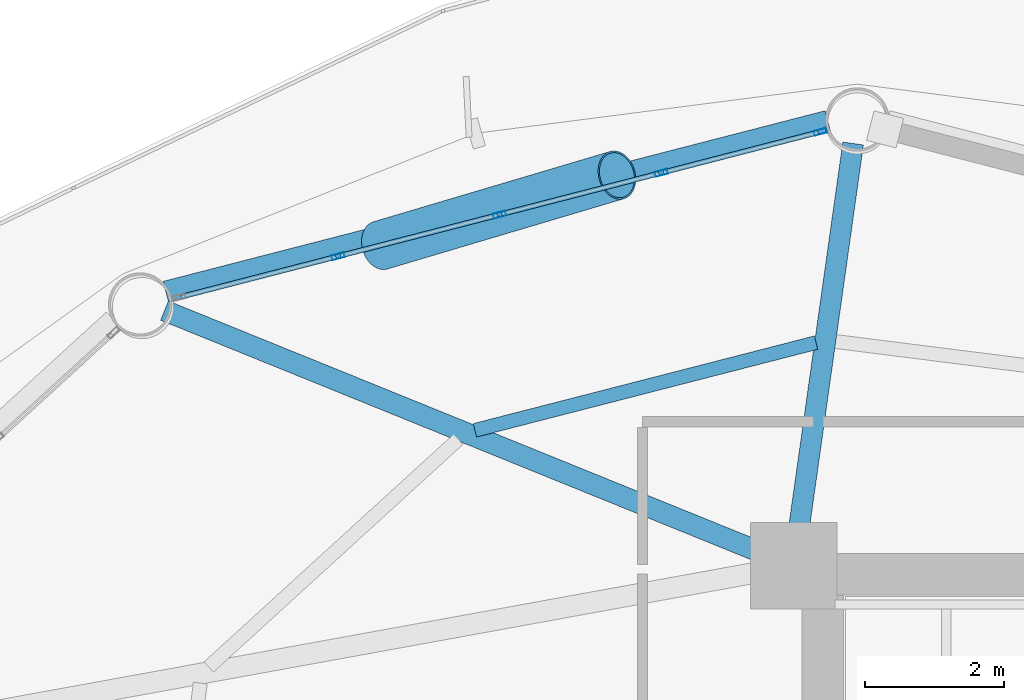
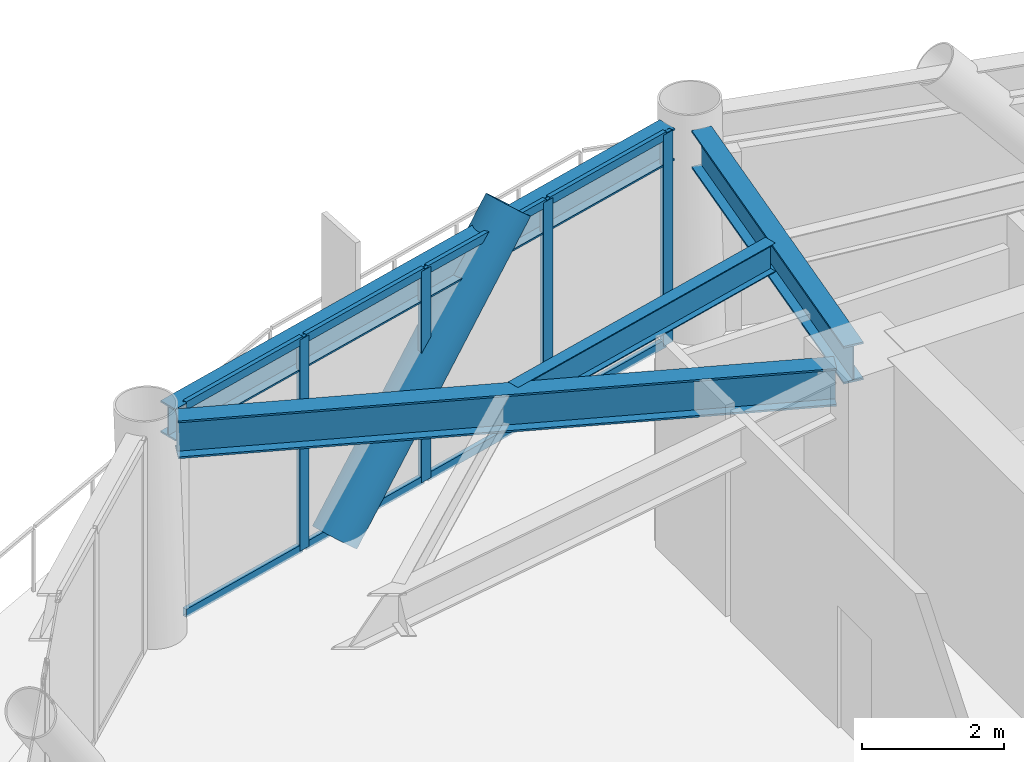
# One storey, part 17 of 24: 13 members, 4 beams, 1 element without a shape of its own.
"""IFC4 building model written with IfcOpenShell, lengths in metres."""

from ifc_helpers import new_model, si_unit, direction, frame, origin, origin_2d, place, context, subcontext, project, spatial, hollow_rectangle, hollow_circle, i_section, extrude, material, layer, layer_set, material_profile, profile_set, type_object, element, aggregate, save


model = new_model("IFC4")

# Units and contexts
model_context = context("Model", 3, precision=1e-05, world=origin(), true_north=direction((0.0, 1.0)))
body_context = subcontext(model_context, "Body", "Model", "MODEL_VIEW")
ifc_project = project(units=[si_unit("LENGTHUNIT", "METRE"), si_unit("AREAUNIT", "SQUARE_METRE"), si_unit("VOLUMEUNIT", "CUBIC_METRE"), si_unit("PLANEANGLEUNIT", "RADIAN"), si_unit("MASSUNIT", "GRAM", prefix="KILO")], contexts=[model_context])

# Site, building, storey
site_placement = place(None, origin())
site = spatial("IfcSite", under=ifc_project, at=site_placement, CompositionType="ELEMENT")
building_placement = place(site_placement, origin())
building = spatial("IfcBuilding", under=site, at=building_placement, Name="Varnakorn Sky Granary", CompositionType="ELEMENT")
storey_placement = place(building_placement, frame((0.0, 0.0, 43.199951171875)))
storey = spatial("IfcBuildingStorey", under=building, at=storey_placement, Name="L10", CompositionType="ELEMENT", Elevation=43.199951171875)

# Beams
ifc_material_1 = material(Name="Steel S355JR", Category="steel")
ifc_material_profile_1 = material_profile(ifc_material_1, i_section(OverallWidth=0.300048828125, OverallDepth=0.64990234375, WebThickness=0.01611328125, FlangeThickness=0.031005859375, at=origin_2d()), Name="HE 650 B")
ifc_profile_set_1 = profile_set([ifc_material_profile_1], Name="Steel S355JR")
beam_type_1 = type_object("IfcBeamType", Name="BM-RAD-Z1", PredefinedType="BEAM", material=ifc_profile_set_1)
beam_1_placement = place(storey_placement, frame((-2.361328125, 13.035888671875, 3.31494140625), z_axis=(0.139477344395, 0.990225262453, 0.0), x_axis=(-0.990225262453, 0.139477344395, 0.0)))
element("IfcBeam", 1, at=beam_1_placement, inside=storey, type_object=beam_type_1, Name="Radial Floor Girder RG04 L10", PredefinedType="BEAM", context=body_context, shape_type="SweptSolid", body=[
    extrude(i_section(OverallWidth=0.300048828125, OverallDepth=0.64990234375, WebThickness=0.01611328125, FlangeThickness=0.031005859375, at=origin_2d()), origin(), (0.0, 0.0, 1.0), 5.732666015625),
])
beam_2_placement = place(storey_placement, frame((-2.80908203125, 12.77783203125, 3.31494140625), z_axis=(-0.926693685394, 0.3758175268, 0.0), x_axis=(-0.3758175268, -0.926693685394, 0.0)))
element("IfcBeam", 2, at=beam_2_placement, inside=storey, type_object=beam_type_1, Name="Radial Floor Girder RG05 L10", PredefinedType="BEAM", context=body_context, shape_type="SweptSolid", body=[
    extrude(i_section(OverallWidth=0.300048828125, OverallDepth=0.64990234375, WebThickness=0.01611328125, FlangeThickness=0.031005859375, at=origin_2d()), origin(), (0.0, 0.0, 1.0), 9.3759765625),
])
ifc_material_profile_2 = material_profile(ifc_material_1, i_section(OverallWidth=0.199951171875, OverallDepth=0.5, WebThickness=0.01025390625, FlangeThickness=0.01611328125, at=origin_2d()), Name="IPE 500")
ifc_profile_set_2 = profile_set([ifc_material_profile_2], Name="Steel S355JR")
beam_type_2 = type_object("IfcBeamType", Name="BM-SEC-Z1", PredefinedType="BEAM", material=ifc_profile_set_2)
beam_3_placement = place(storey_placement, frame((-2.09716796875, 15.839111328125, 3.39013671875), z_axis=(-0.968527361519, -0.248907111166, 0.0), x_axis=(0.248907111166, -0.968527361519, 0.0)))
element("IfcBeam", 3, at=beam_3_placement, inside=storey, type_object=beam_type_2, Name="Secondary Floor Chord Beam MSB04 L10", PredefinedType="BEAM", context=body_context, shape_type="SweptSolid", body=[
    extrude(i_section(OverallWidth=0.199951171875, OverallDepth=0.5, WebThickness=0.01025390625, FlangeThickness=0.01611328125, at=origin_2d()), origin(), (0.0, 0.0, 1.0), 5.080810546875),
])
ifc_material_profile_3 = material_profile(ifc_material_1, i_section(OverallWidth=0.300048828125, OverallDepth=0.550048828125, WebThickness=0.014892578125, FlangeThickness=0.029052734375, at=origin_2d()), Name="HE 550 B")
ifc_profile_set_3 = profile_set([ifc_material_profile_3], Name="Steel S355JR")
beam_type_3 = type_object("IfcBeamType", Name="BM-SPD-Z1", PredefinedType="SPANDREL", material=ifc_profile_set_3)
beam_4_placement = place(storey_placement, frame((-1.927978515625, 19.039794921875, 3.364990234375), z_axis=(-0.968350691082, -0.249593547756, 0.0), x_axis=(0.249593547756, -0.968350691082, 0.0)))
element("IfcBeam", 4, at=beam_4_placement, inside=storey, type_object=beam_type_3, Name="Perimeter Spandrel Ring Beam RB04 L10", PredefinedType="SPANDREL", context=body_context, shape_type="SweptSolid", body=[
    extrude(i_section(OverallWidth=0.300048828125, OverallDepth=0.550048828125, WebThickness=0.014892578125, FlangeThickness=0.029052734375, at=origin_2d()), origin(), (0.0, 0.0, 1.0), 9.86376953125),
])

# Curtain wall, members
ifc_material_2 = material(Name="Anodised Bronze Aluminium Alloy 6063-T6", Category="aluminium")
ifc_layer = layer(ifc_material_2, 0.18994140625, Name="Anodised Bronze Aluminium Alloy 6063-T6")
ifc_layer_set = layer_set([ifc_layer], Name="Anodised Bronze Aluminium Alloy 6063-T6")
curtain_wall_type = type_object("IfcCurtainWallType", Name="CW-FRM-1", PredefinedType="USERDEFINED", material=ifc_layer_set)
curtain_wall_placement = place(storey_placement, origin())
curtain_wall = element("IfcCurtainWall", 5, at=curtain_wall_placement, inside=storey, type_object=curtain_wall_type, Name="Unitised Curtain Wall CW3 CW-L10-B04", ObjectType="CURTAIN WALL", PredefinedType="USERDEFINED")
ifc_material_profile_4 = material_profile(ifc_material_2, hollow_rectangle(XDim=0.070068359375, YDim=0.18505859375, WallThickness=0.00390625, at=origin_2d()), Name="ALU MULL 70x185")
ifc_profile_set_4 = profile_set([ifc_material_profile_4], Name="Anodised Bronze Aluminium Alloy 6063-T6")
member_type_1 = type_object("IfcMemberType", Name="CW-FRM-1-MULL", PredefinedType="MULLION", material=ifc_profile_set_4)
member_1_placement = place(storey_placement, frame((-8.992431640625, 17.0849609375, 0.0), z_axis=(0.0, 0.0, 1.0), x_axis=(-0.249960319337, 0.968256081188, 0.0)))
member_1 = element("IfcMember", 6, at=member_1_placement, type_object=member_type_1, Name="CW3 mullion 2", PredefinedType="MULLION", context=body_context, shape_type="SweptSolid", body=[
    extrude(hollow_rectangle(XDim=0.070068359375, YDim=0.18505859375, WallThickness=0.00390625, at=origin_2d()), origin(), (0.0, 0.0, 1.0), 3.64013671875),
])
member_2_placement = place(storey_placement, frame((-6.661865234375, 17.6865234375, 0.0), z_axis=(0.0, 0.0, 1.0), x_axis=(-0.249960319337, 0.968256081188, 0.0)))
member_2 = element("IfcMember", 7, at=member_2_placement, type_object=member_type_1, Name="CW3 mullion 3", PredefinedType="MULLION", context=body_context, shape_type="SweptSolid", body=[
    extrude(hollow_rectangle(XDim=0.070068359375, YDim=0.18505859375, WallThickness=0.00390625, at=origin_2d()), origin(), (0.0, 0.0, 1.0), 3.64013671875),
])
member_3_placement = place(storey_placement, frame((-4.3310546875, 18.2880859375, 0.0), z_axis=(0.0, 0.0, 1.0), x_axis=(-0.249960319337, 0.968256081188, 0.0)))
member_3 = element("IfcMember", 8, at=member_3_placement, type_object=member_type_1, Name="CW3 mullion 4", PredefinedType="MULLION", context=body_context, shape_type="SweptSolid", body=[
    extrude(hollow_rectangle(XDim=0.070068359375, YDim=0.18505859375, WallThickness=0.00390625, at=origin_2d()), origin(), (0.0, 0.0, 1.0), 3.64013671875),
])
member_4_placement = place(storey_placement, frame((-2.034423828125, 18.881103515625, 0.0), z_axis=(0.0, 0.0, 1.0), x_axis=(-0.249960319337, 0.968256081188, 0.0)))
member_4 = element("IfcMember", 9, at=member_4_placement, type_object=member_type_1, Name="CW3 mullion 5", PredefinedType="MULLION", context=body_context, shape_type="SweptSolid", body=[
    extrude(hollow_rectangle(XDim=0.070068359375, YDim=0.18505859375, WallThickness=0.00390625, at=origin_2d()), origin(), (0.0, 0.0, 1.0), 3.64013671875),
])
ifc_material_profile_5 = material_profile(ifc_material_2, hollow_rectangle(XDim=0.070068359375, YDim=0.139892578125, WallThickness=0.00341796875, at=origin_2d()), Name="ALU TRAN 70x140")
ifc_profile_set_5 = profile_set([ifc_material_profile_5], Name="Anodised Bronze Aluminium Alloy 6063-T6")
member_type_2 = type_object("IfcMemberType", Name="CW-FRM-1-TRAN", PredefinedType="USERDEFINED", material=ifc_profile_set_5)
member_5_placement = place(storey_placement, frame((-11.255126953125, 16.500732421875, 0.03515625), z_axis=(0.968254971313, 0.249964618552, 0.0), x_axis=(-0.249964618552, 0.968254971313, 0.0)))
member_5 = element("IfcMember", 10, at=member_5_placement, type_object=member_type_2, Name="CW3 transom 1.1", ObjectType="TRANSOM", PredefinedType="USERDEFINED", context=body_context, shape_type="SweptSolid", body=[
    extrude(hollow_rectangle(XDim=0.070068359375, YDim=0.139892578125, WallThickness=0.00341796875, at=origin_2d()), origin(), (0.0, 0.0, 1.0), 2.302001953125),
])
member_6_placement = place(storey_placement, frame((-11.255126953125, 16.500732421875, 3.60498046875), z_axis=(0.968254971313, 0.249964618552, 0.0), x_axis=(-0.249964618552, 0.968254971313, 0.0)))
member_6 = element("IfcMember", 11, at=member_6_placement, type_object=member_type_2, Name="CW3 transom 1.2", ObjectType="TRANSOM", PredefinedType="USERDEFINED", context=body_context, shape_type="SweptSolid", body=[
    extrude(hollow_rectangle(XDim=0.070068359375, YDim=0.139892578125, WallThickness=0.00341796875, at=origin_2d()), origin(), (0.0, 0.0, 1.0), 2.302001953125),
])
member_7_placement = place(storey_placement, frame((-8.95849609375, 17.093505859375, 0.03515625), z_axis=(0.968252044211, 0.249975956608, 0.0), x_axis=(-0.249975956608, 0.968252044211, 0.0)))
member_7 = element("IfcMember", 12, at=member_7_placement, type_object=member_type_2, Name="CW3 transom 2.1", ObjectType="TRANSOM", PredefinedType="USERDEFINED", context=body_context, shape_type="SweptSolid", body=[
    extrude(hollow_rectangle(XDim=0.070068359375, YDim=0.139892578125, WallThickness=0.00341796875, at=origin_2d()), origin(), (0.0, 0.0, 1.0), 2.337158203125),
])
member_8_placement = place(storey_placement, frame((-8.95849609375, 17.093505859375, 3.60498046875), z_axis=(0.968252044211, 0.249975956608, 0.0), x_axis=(-0.249975956608, 0.968252044211, 0.0)))
member_8 = element("IfcMember", 13, at=member_8_placement, type_object=member_type_2, Name="CW3 transom 2.2", ObjectType="TRANSOM", PredefinedType="USERDEFINED", context=body_context, shape_type="SweptSolid", body=[
    extrude(hollow_rectangle(XDim=0.070068359375, YDim=0.139892578125, WallThickness=0.00341796875, at=origin_2d()), origin(), (0.0, 0.0, 1.0), 2.337158203125),
])
member_9_placement = place(storey_placement, frame((-6.6279296875, 17.6953125, 0.03515625), z_axis=(0.968277323709, 0.249878019022, 0.0), x_axis=(-0.249878019022, 0.968277323709, 0.0)))
member_9 = element("IfcMember", 14, at=member_9_placement, type_object=member_type_2, Name="CW3 transom 3.1", ObjectType="TRANSOM", PredefinedType="USERDEFINED", context=body_context, shape_type="SweptSolid", body=[
    extrude(hollow_rectangle(XDim=0.070068359375, YDim=0.139892578125, WallThickness=0.00341796875, at=origin_2d()), origin(), (0.0, 0.0, 1.0), 2.337158203125),
])
member_10_placement = place(storey_placement, frame((-6.6279296875, 17.6953125, 3.60498046875), z_axis=(0.968277323709, 0.249878019022, 0.0), x_axis=(-0.249878019022, 0.968277323709, 0.0)))
member_10 = element("IfcMember", 15, at=member_10_placement, type_object=member_type_2, Name="CW3 transom 3.2", ObjectType="TRANSOM", PredefinedType="USERDEFINED", context=body_context, shape_type="SweptSolid", body=[
    extrude(hollow_rectangle(XDim=0.070068359375, YDim=0.139892578125, WallThickness=0.00341796875, at=origin_2d()), origin(), (0.0, 0.0, 1.0), 2.337158203125),
])
member_11_placement = place(storey_placement, frame((-4.29736328125, 18.296875, 0.03515625), z_axis=(0.968254971313, 0.249964618552, 0.0), x_axis=(-0.249964618552, 0.968254971313, 0.0)))
member_11 = element("IfcMember", 16, at=member_11_placement, type_object=member_type_2, Name="CW3 transom 4.1", ObjectType="TRANSOM", PredefinedType="USERDEFINED", context=body_context, shape_type="SweptSolid", body=[
    extrude(hollow_rectangle(XDim=0.070068359375, YDim=0.139892578125, WallThickness=0.00341796875, at=origin_2d()), origin(), (0.0, 0.0, 1.0), 2.302001953125),
])
member_12_placement = place(storey_placement, frame((-4.29736328125, 18.296875, 3.60498046875), z_axis=(0.968254971313, 0.249964618552, 0.0), x_axis=(-0.249964618552, 0.968254971313, 0.0)))
member_12 = element("IfcMember", 17, at=member_12_placement, type_object=member_type_2, Name="CW3 transom 4.2", ObjectType="TRANSOM", PredefinedType="USERDEFINED", context=body_context, shape_type="SweptSolid", body=[
    extrude(hollow_rectangle(XDim=0.070068359375, YDim=0.139892578125, WallThickness=0.00341796875, at=origin_2d()), origin(), (0.0, 0.0, 1.0), 2.302001953125),
])
aggregate(curtain_wall, [member_1, member_2, member_3, member_4, member_5, member_6, member_7, member_8, member_9, member_10, member_11, member_12])

# Member
ifc_material_3 = material(Name="Steel S460M", Category="steel")
ifc_material_profile_6 = material_profile(ifc_material_3, hollow_circle(Radius=0.35546875, WallThickness=0.02490234375, at=origin_2d()), Name="CHS 711x25")
ifc_profile_set_6 = profile_set([ifc_material_profile_6], Name="Steel S460M")
member_type_3 = type_object("IfcMemberType", Name="MB-DIAG-T0", PredefinedType="BRACE", material=ifc_profile_set_6)
member_13_placement = place(storey_placement, frame((-8.38232421875, 17.2421875, -0.1298828125), z_axis=(0.644523953078, 0.191420847867, 0.740234377012), x_axis=(-0.284704627072, 0.958615290575, 0.0)))
element("IfcMember", 18, at=member_13_placement, inside=storey, type_object=member_type_3, Name="Perimeter CHS Diagrid Brace DG04 L10", PredefinedType="BRACE", context=body_context, shape_type="SweptSolid", body=[
    extrude(hollow_circle(Radius=0.35546875, WallThickness=0.02490234375, at=origin_2d()), origin(), (0.0, 0.0, 1.0), 5.29541015625),
])

save(model, "model.ifc")
